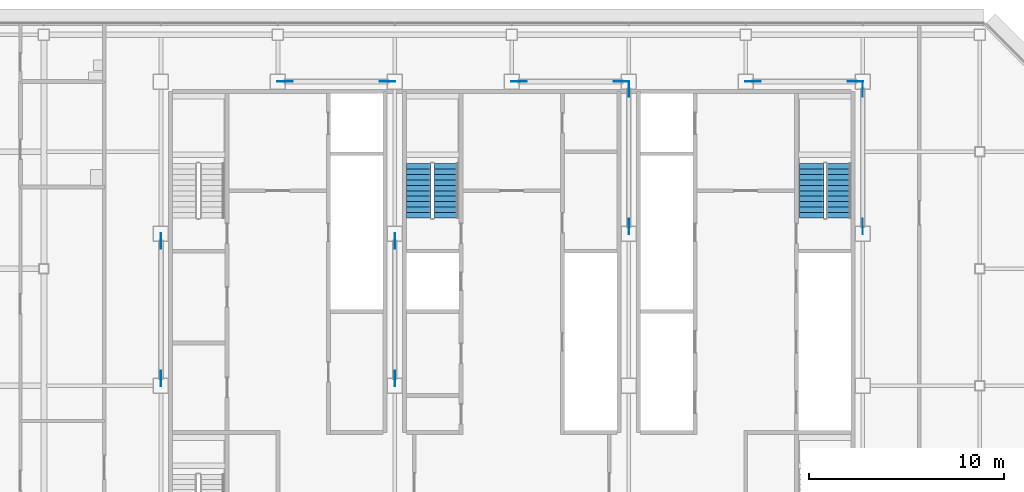
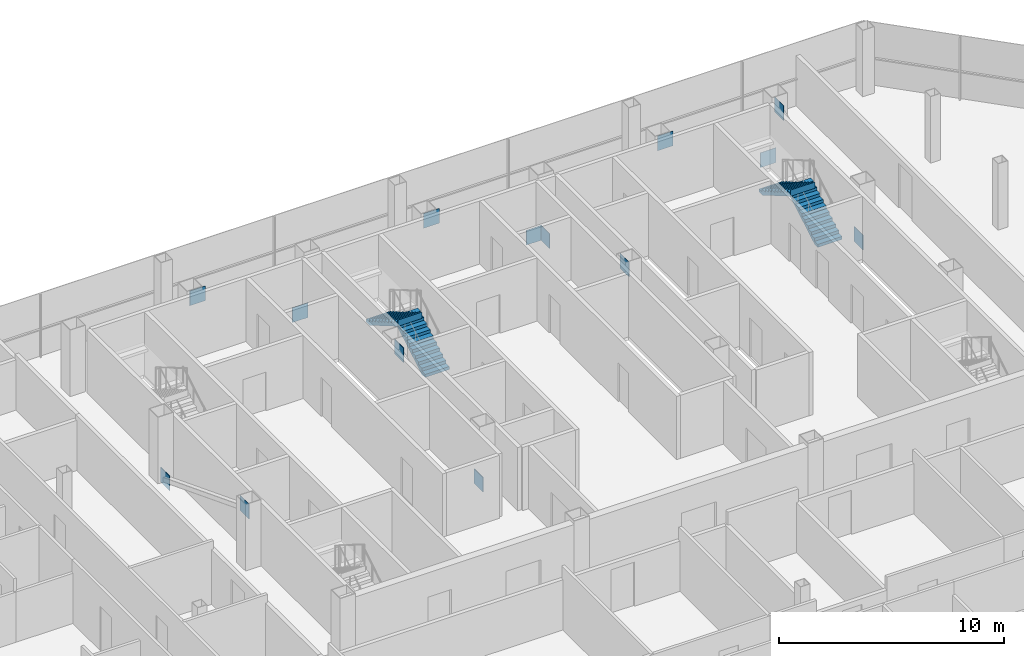
# One storey, part 26 of 28: 14 discrete accessories, 4 stair flights, 2 elements without a shape of their own.
"""IFC4 building model written with IfcOpenShell, lengths in metres."""

from ifc_helpers import new_model, si_unit, direction, frame, origin, origin_2d, place, context, subcontext, project, spatial, polyline, rectangle, outline, extrude, material, layer, layer_set, type_object, element, aggregate, save


model = new_model("IFC4")

# Units and contexts
model_context = context("Model", 3, precision=1e-05, world=origin(), true_north=direction((0.0, 1.0)))
body_context = subcontext(model_context, "Body", "Model", "MODEL_VIEW")
ifc_project = project(units=[si_unit("LENGTHUNIT", "METRE"), si_unit("AREAUNIT", "SQUARE_METRE"), si_unit("VOLUMEUNIT", "CUBIC_METRE"), si_unit("PLANEANGLEUNIT", "RADIAN"), si_unit("MASSUNIT", "GRAM", prefix="KILO")], contexts=[model_context])

# Site, building, storey
site_placement = place(None, origin())
site = spatial("IfcSite", under=ifc_project, at=site_placement, CompositionType="ELEMENT")
building_placement = place(site_placement, origin())
building = spatial("IfcBuilding", under=site, at=building_placement, Name="Sorahane Residences", CompositionType="ELEMENT")
storey_placement = place(building_placement, frame((0.0, 0.0, 273.800048828125)))
storey = spatial("IfcBuildingStorey", under=building, at=storey_placement, Name="L65", CompositionType="ELEMENT", Elevation=273.800048828125)

# Stair, stair flights
ifc_material_1 = material(Name="Concrete C40", Category="concrete")
stair_type = type_object("IfcStairType", Name="Dog-leg stair 1250 Concrete C40", PredefinedType="HALF_TURN_STAIR", material=ifc_material_1)
stair_1_placement = place(storey_placement, origin())
stair_1 = element("IfcStair", 1, at=stair_1_placement, inside=storey, type_object=stair_type, Name="L65 Stair S2", PredefinedType="HALF_TURN_STAIR")
ifc_material_2 = material(Name="Concrete C40", Category="concrete")
stair_flight_type = type_object("IfcStairFlightType", Name="Stair flight 1250 Concrete C40", PredefinedType="STRAIGHT", material=ifc_material_2)
stair_flight_1_placement = place(storey_placement, frame((40.77490234375, 38.60009765625, 0.0), z_axis=(0.0, 0.0, 1.0), x_axis=(0.0, 1.0, 0.0)))
stair_flight_1 = element("IfcStairFlight", 2, at=stair_flight_1_placement, type_object=stair_flight_type, Name="S2 flight 1", NumberOfRisers=11, NumberOfTreads=10, PredefinedType="STRAIGHT", RiserHeight=0.163636364, TreadLength=0.28, context=body_context, shape_type="SweptSolid", body=[
    extrude(outline(polyline([(-0.00146484375, 0.0), (-0.00146484375, 0.16357421875), (0.0, 0.16357421875), (0.280029296875, 0.16357421875), (0.280029296875, 0.327392578125), (0.56005859375, 0.327392578125), (0.56005859375, 0.490966796875), (0.840087890625, 0.490966796875), (0.840087890625, 0.654541015625), (1.1201171875, 0.654541015625), (1.1201171875, 0.818115234375), (1.39990234375, 0.818115234375), (1.39990234375, 0.98193359375), (1.679931640625, 0.98193359375), (1.679931640625, 1.1455078125), (1.9599609375, 1.1455078125), (1.9599609375, 1.30908203125), (2.239990234375, 1.30908203125), (2.239990234375, 1.47265625), (2.52001953125, 1.47265625), (2.52001953125, 1.636474609375), (2.800048828125, 1.636474609375), (2.800048828125, 1.800048828125), (2.800048828125, 1.462646484375), (2.59130859375, 1.3408203125), (2.3828125, 1.218994140625), (2.17431640625, 1.09716796875), (1.965576171875, 0.97509765625), (1.757080078125, 0.853271484375), (1.548583984375, 0.7314453125), (1.340087890625, 0.609375), (1.13134765625, 0.487548828125), (0.9228515625, 0.36572265625), (0.71435546875, 0.243896484375), (0.505615234375, 0.121826171875), (0.297119140625, 0.0), (-0.00146484375, 0.0)])), frame((0.0, 0.625, 0.0), z_axis=(0.0, -1.0, 0.0), x_axis=(1.0, 0.0, 0.0)), (0.0, 0.0, 1.0), 1.25),
])
stair_flight_2_placement = place(storey_placement, frame((39.375, 41.39990234375, 1.800048828125), z_axis=(0.0, 0.0, 1.0), x_axis=(0.0, -1.0, 0.0)))
stair_flight_2 = element("IfcStairFlight", 3, at=stair_flight_2_placement, type_object=stair_flight_type, Name="S2 flight 2", NumberOfRisers=11, NumberOfTreads=10, PredefinedType="STRAIGHT", RiserHeight=0.163636364, TreadLength=0.28, context=body_context, shape_type="SweptSolid", body=[
    extrude(outline(polyline([(0.0, 0.0), (0.0, 0.16357421875), (0.280029296875, 0.16357421875), (0.280029296875, 0.327392578125), (0.56005859375, 0.327392578125), (0.56005859375, 0.490966796875), (0.840087890625, 0.490966796875), (0.840087890625, 0.654541015625), (1.1201171875, 0.654541015625), (1.1201171875, 0.818115234375), (1.39990234375, 0.818115234375), (1.39990234375, 0.98193359375), (1.679931640625, 0.98193359375), (1.679931640625, 1.1455078125), (1.9599609375, 1.1455078125), (1.9599609375, 1.30908203125), (2.239990234375, 1.30908203125), (2.239990234375, 1.47265625), (2.52001953125, 1.47265625), (2.52001953125, 1.636474609375), (2.800048828125, 1.636474609375), (2.800048828125, 1.800048828125), (2.801513671875, 1.800048828125), (2.801513671875, 1.462646484375), (2.5927734375, 1.3408203125), (2.384033203125, 1.218994140625), (2.17529296875, 1.09716796875), (1.966796875, 0.97509765625), (1.758056640625, 0.853271484375), (1.54931640625, 0.7314453125), (1.340576171875, 0.609375), (1.1318359375, 0.487548828125), (0.923095703125, 0.36572265625), (0.714599609375, 0.243896484375), (0.505859375, 0.121826171875), (0.297119140625, 0.0), (0.0, 0.0)])), frame((0.0, 0.625, 0.0), z_axis=(0.0, -1.0, 0.0), x_axis=(1.0, 0.0, 0.0)), (0.0, 0.0, 1.0), 1.25),
])
aggregate(stair_1, [stair_flight_1, stair_flight_2])

stair_2_placement = place(storey_placement, origin())
stair_2 = element("IfcStair", 4, at=stair_2_placement, inside=storey, type_object=stair_type, Name="L65 Stair S3", PredefinedType="HALF_TURN_STAIR")
stair_flight_3_placement = place(storey_placement, frame((20.625, 38.60009765625, 0.0), z_axis=(0.0, 0.0, 1.0), x_axis=(0.0, 1.0, 0.0)))
stair_flight_3 = element("IfcStairFlight", 5, at=stair_flight_3_placement, type_object=stair_flight_type, Name="S3 flight 1", NumberOfRisers=11, NumberOfTreads=10, PredefinedType="STRAIGHT", RiserHeight=0.163636364, TreadLength=0.28, context=body_context, shape_type="SweptSolid", body=[
    extrude(outline(polyline([(-0.00146484375, 0.0), (-0.00146484375, 0.16357421875), (0.0, 0.16357421875), (0.280029296875, 0.16357421875), (0.280029296875, 0.327392578125), (0.56005859375, 0.327392578125), (0.56005859375, 0.490966796875), (0.840087890625, 0.490966796875), (0.840087890625, 0.654541015625), (1.1201171875, 0.654541015625), (1.1201171875, 0.818115234375), (1.39990234375, 0.818115234375), (1.39990234375, 0.98193359375), (1.679931640625, 0.98193359375), (1.679931640625, 1.1455078125), (1.9599609375, 1.1455078125), (1.9599609375, 1.30908203125), (2.239990234375, 1.30908203125), (2.239990234375, 1.47265625), (2.52001953125, 1.47265625), (2.52001953125, 1.636474609375), (2.800048828125, 1.636474609375), (2.800048828125, 1.800048828125), (2.800048828125, 1.462646484375), (2.59130859375, 1.3408203125), (2.3828125, 1.218994140625), (2.17431640625, 1.09716796875), (1.965576171875, 0.97509765625), (1.757080078125, 0.853271484375), (1.548583984375, 0.7314453125), (1.340087890625, 0.609375), (1.13134765625, 0.487548828125), (0.9228515625, 0.36572265625), (0.71435546875, 0.243896484375), (0.505615234375, 0.121826171875), (0.297119140625, 0.0), (-0.00146484375, 0.0)])), frame((0.0, 0.625, 0.0), z_axis=(0.0, -1.0, 0.0), x_axis=(1.0, 0.0, 0.0)), (0.0, 0.0, 1.0), 1.25),
])
stair_flight_4_placement = place(storey_placement, frame((19.22509765625, 41.39990234375, 1.800048828125), z_axis=(0.0, 0.0, 1.0), x_axis=(0.0, -1.0, 0.0)))
stair_flight_4 = element("IfcStairFlight", 6, at=stair_flight_4_placement, type_object=stair_flight_type, Name="S3 flight 2", NumberOfRisers=11, NumberOfTreads=10, PredefinedType="STRAIGHT", RiserHeight=0.163636364, TreadLength=0.28, context=body_context, shape_type="SweptSolid", body=[
    extrude(outline(polyline([(0.0, 0.0), (0.0, 0.16357421875), (0.280029296875, 0.16357421875), (0.280029296875, 0.327392578125), (0.56005859375, 0.327392578125), (0.56005859375, 0.490966796875), (0.840087890625, 0.490966796875), (0.840087890625, 0.654541015625), (1.1201171875, 0.654541015625), (1.1201171875, 0.818115234375), (1.39990234375, 0.818115234375), (1.39990234375, 0.98193359375), (1.679931640625, 0.98193359375), (1.679931640625, 1.1455078125), (1.9599609375, 1.1455078125), (1.9599609375, 1.30908203125), (2.239990234375, 1.30908203125), (2.239990234375, 1.47265625), (2.52001953125, 1.47265625), (2.52001953125, 1.636474609375), (2.800048828125, 1.636474609375), (2.800048828125, 1.800048828125), (2.801513671875, 1.800048828125), (2.801513671875, 1.462646484375), (2.5927734375, 1.3408203125), (2.384033203125, 1.218994140625), (2.17529296875, 1.09716796875), (1.966796875, 0.97509765625), (1.758056640625, 0.853271484375), (1.54931640625, 0.7314453125), (1.340576171875, 0.609375), (1.1318359375, 0.487548828125), (0.923095703125, 0.36572265625), (0.714599609375, 0.243896484375), (0.505859375, 0.121826171875), (0.297119140625, 0.0), (0.0, 0.0)])), frame((0.0, 0.625, 0.0), z_axis=(0.0, -1.0, 0.0), x_axis=(1.0, 0.0, 0.0)), (0.0, 0.0, 1.0), 1.25),
])
aggregate(stair_2, [stair_flight_3, stair_flight_4])

# Discrete accessories
ifc_material_3 = material(Name="Steel Q355B", Category="steel")
ifc_layer = layer(ifc_material_3, 0.02490234375)
ifc_layer_set = layer_set([ifc_layer], Name="Node plate Steel Q355B 25")
discrete_accessory_type = type_object("IfcDiscreteAccessoryType", Name="Node plate Steel Q355B 25", PredefinedType="BRACKET", material=ifc_layer_set)
for number, where, z_axis, x_axis, name in (
    (7, (6.0, 37.42724609375, -0.28564453125), (0.0, 0.0, 1.0), (0.0, 1.0, 0.0), "Node plate L65 br"),
    (8, (6.0, 30.372802734375, 2.45556640625), (0.0, 0.0, 1.0), (0.0, 1.0, 0.0), "Node plate L65 br"),
    (9, (18.0, 30.372802734375, -0.28564453125), (0.0, 0.0, 1.0), (0.0, 1.0, 0.0), "Node plate L65 br"),
    (10, (18.0, 37.42724609375, 2.45556640625), (0.0, 0.0, 1.0), (0.0, 1.0, 0.0), "Node plate L65 br"),
    (11, (30.0, 45.227294921875, -0.28564453125), (0.0, 0.0, 1.0), (0.0, 1.0, 0.0), "Node plate L65 br"),
    (12, (30.0, 38.1728515625, 2.45556640625), (0.0, 0.0, 1.0), (0.0, 1.0, 0.0), "Node plate L65 br"),
    (13, (42.0, 38.1728515625, -0.28564453125), (0.0, 0.0, 1.0), (0.0, 1.0, 0.0), "Node plate L65 br"),
    (14, (42.0, 45.227294921875, 2.45556640625), (0.0, 0.0, 1.0), (0.0, 1.0, 0.0), "Node plate L65 br"),
    (15, (17.634765625, 45.60009765625, -0.29345703125), (0.0, 0.0, 1.0), (1.0, 0.0, 0.0), "Node plate L65 br"),
    (16, (29.634765625, 45.60009765625, -0.29345703125), (0.0, 0.0, 1.0), (1.0, 0.0, 0.0), "Node plate L65 br"),
    (17, (41.634765625, 45.60009765625, -0.29345703125), (0.0, 0.0, 1.0), (1.0, 0.0, 0.0), "Node plate L65 br"),
    (18, (12.365234375, 45.60009765625, 2.462890625), (0.0, 0.0, 1.0), (1.0, 0.0, 0.0), "Node plate L65 br"),
    (19, (24.365234375, 45.60009765625, 2.462890625), (0.0, 0.0, 1.0), (1.0, 0.0, 0.0), "Node plate L65 br"),
    (20, (36.365234375, 45.60009765625, 2.462890625), (0.0, 0.0, 1.0), (1.0, 0.0, 0.0), "Node plate L65 br"),
):
    element("IfcDiscreteAccessory", number, at=place(storey_placement, frame(where, z_axis=z_axis, x_axis=x_axis)), inside=storey, type_object=discrete_accessory_type, Name=name, PredefinedType="BRACKET", context=body_context, shape_type="SweptSolid", body=[
        extrude(rectangle(XDim=0.800048828125, YDim=0.02490234375, at=origin_2d()), origin(), (0.0, 0.0, 1.0), 0.800048828125),
    ])

save(model, "model.ifc")
